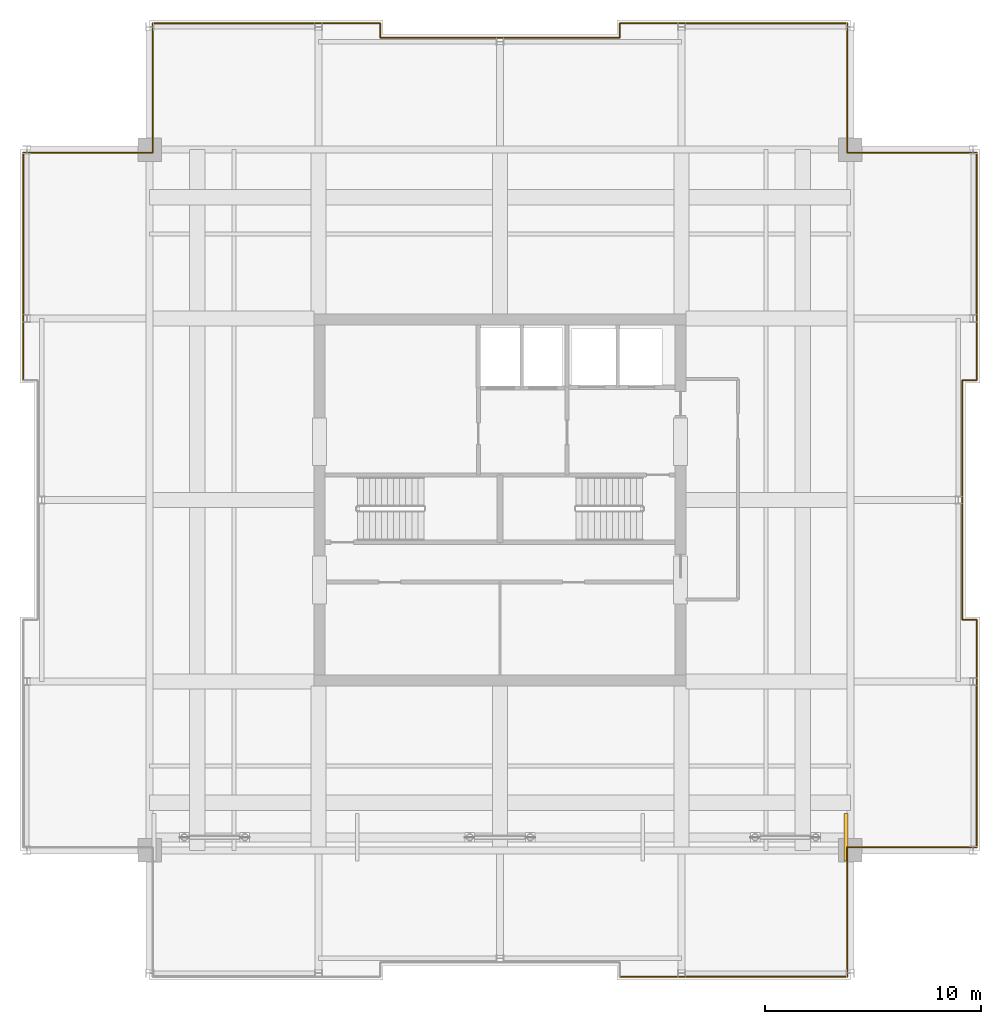
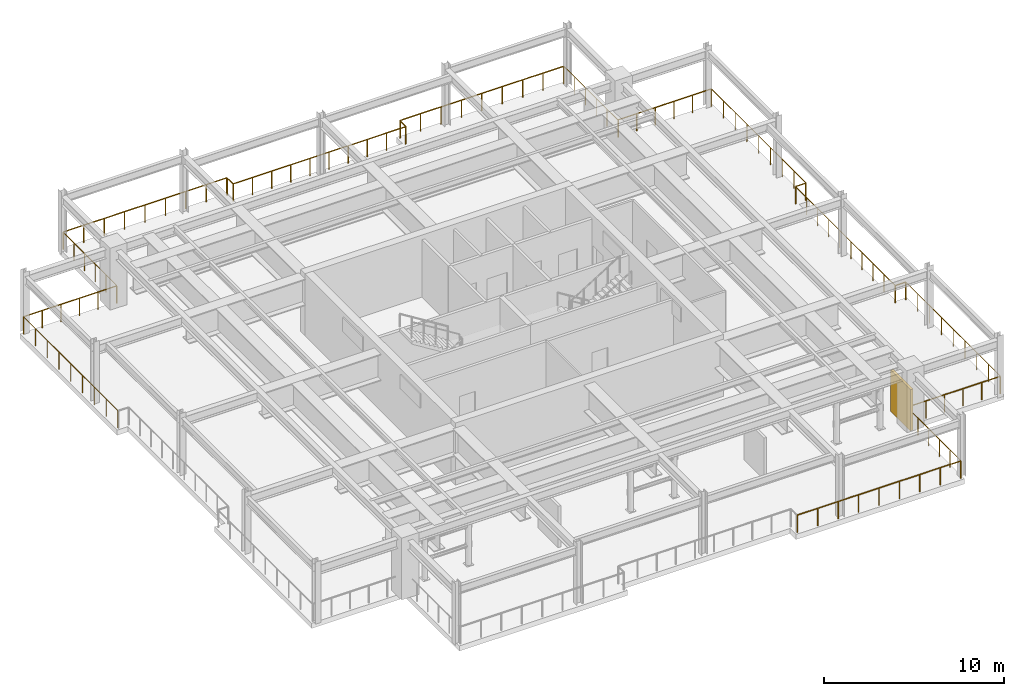
# One storey, part 12 of 12: 18 railings, 1 shading device.
"""IFC4 building model written with IfcOpenShell, lengths in metres."""

from ifc_helpers import new_model, si_unit, direction, frame, origin, origin_2d, place, context, subcontext, project, spatial, rectangle, circle, extrude, material, layer, layer_set, type_object, element, save


model = new_model("IFC4")

# Units and contexts
model_context = context("Model", 3, precision=1e-05, world=origin(), true_north=direction((0.0, 1.0)))
body_context = subcontext(model_context, "Body", "Model", "MODEL_VIEW")
ifc_project = project(units=[si_unit("LENGTHUNIT", "METRE"), si_unit("AREAUNIT", "SQUARE_METRE"), si_unit("VOLUMEUNIT", "CUBIC_METRE"), si_unit("PLANEANGLEUNIT", "RADIAN"), si_unit("MASSUNIT", "GRAM", prefix="KILO")], contexts=[model_context])

# Site, building, storey
site_placement = place(None, origin())
site = spatial("IfcSite", under=ifc_project, at=site_placement, CompositionType="ELEMENT")
building_placement = place(site_placement, origin())
building = spatial("IfcBuilding", under=site, at=building_placement, Name="Drelvath Grand Hotel", CompositionType="ELEMENT")
storey_placement = place(building_placement, frame((0.0, 0.0, 307.199951171875)))
storey = spatial("IfcBuildingStorey", under=building, at=storey_placement, Name="L80", CompositionType="ELEMENT", Elevation=307.199951171875)

# Shading device
ifc_material_1 = material(Name="Pale-Metal Anodised Aluminium Louvre", Category="aluminium")
ifc_layer = layer(ifc_material_1, 0.179931640625)
ifc_layer_set = layer_set([ifc_layer], Name="Pale-Metal Anodised Aluminium Louvre")
shading_device_type = type_object("IfcShadingDeviceType", Name="Mechanical Acoustic Weather Louvre Pale-Metal 180", PredefinedType="USERDEFINED", material=ifc_layer_set)
shading_device_placement = place(storey_placement, frame((16.0, 11.39990234375, 0.0), z_axis=(0.0, 0.0, 1.0), x_axis=(1.0, 0.0, 0.0)))
element("IfcShadingDevice", 1, at=shading_device_placement, inside=storey, type_object=shading_device_type, Name="L80 Wind-Turbine Acoustic Shroud Louvre 4", ObjectType="LOUVRE", PredefinedType="USERDEFINED", context=body_context, shape_type="SweptSolid", body=[
    extrude(rectangle(XDim=0.179931640625, YDim=2.199951171875, at=origin_2d()), origin(), (0.0, 0.0, 1.0), 2.800048828125),
])

# Railings
ifc_material_2 = material(Name="Stainless Steel Grade 316 Guardrail", Category="steel")
railing_type = type_object("IfcRailingType", Name="Open Wind-Slot Perimeter Guardrail 1200", PredefinedType="GUARDRAIL", material=ifc_material_2)
railing_1_placement = place(storey_placement, frame((-22.06005859375, 32.56201171875, 0.0)))
element("IfcRailing", 2, at=railing_1_placement, inside=storey, type_object=railing_type, Name="L80 Open Wind-Turbine Deck Perimeter Guardrail E07", PredefinedType="GUARDRAIL", context=body_context, shape_type="SweptSolid", body=[
    extrude(circle(Radius=0.02392578125, at=origin_2d()), frame((0.0, 0.0, 1.17578125), z_axis=(0.0, 1.0, 0.0), x_axis=(-1.0, 0.0, 0.0)), (0.0, 0.0, 1.0), 10.47607421875),
    extrude(circle(Radius=0.02099609375, at=origin_2d()), origin(), (0.0, 0.0, 1.0), 1.15185546875),
    extrude(circle(Radius=0.02099609375, at=origin_2d()), frame((0.0, 1.3095703125, 0.0)), (0.0, 0.0, 1.0), 1.15185546875),
    extrude(circle(Radius=0.02099609375, at=origin_2d()), frame((0.0, 2.619140625, 0.0)), (0.0, 0.0, 1.0), 1.15185546875),
    extrude(circle(Radius=0.02099609375, at=origin_2d()), frame((0.0, 3.928466796875, 0.0)), (0.0, 0.0, 1.0), 1.15185546875),
    extrude(circle(Radius=0.02099609375, at=origin_2d()), frame((0.0, 5.238037109375, 0.0)), (0.0, 0.0, 1.0), 1.15185546875),
    extrude(circle(Radius=0.02099609375, at=origin_2d()), frame((0.0, 6.547607421875, 0.0)), (0.0, 0.0, 1.0), 1.15185546875),
    extrude(circle(Radius=0.02099609375, at=origin_2d()), frame((0.0, 7.85693359375, 0.0)), (0.0, 0.0, 1.0), 1.15185546875),
    extrude(circle(Radius=0.02099609375, at=origin_2d()), frame((0.0, 9.16650390625, 0.0)), (0.0, 0.0, 1.0), 1.15185546875),
    extrude(circle(Radius=0.02099609375, at=origin_2d()), frame((0.0, 10.47607421875, 0.0)), (0.0, 0.0, 1.0), 1.15185546875),
])
railing_2_placement = place(storey_placement, frame((-22.0380859375, 43.06005859375, 0.0)))
element("IfcRailing", 3, at=railing_2_placement, inside=storey, type_object=railing_type, Name="L80 Open Wind-Turbine Deck Perimeter Guardrail E08", PredefinedType="GUARDRAIL", context=body_context, shape_type="SweptSolid", body=[
    extrude(circle(Radius=0.02392578125, at=origin_2d()), frame((0.0, 0.0, 1.17578125), z_axis=(1.0, 0.0, 0.0), x_axis=(0.0, 1.0, 0.0)), (0.0, 0.0, 1.0), 5.9560546875),
    extrude(circle(Radius=0.02099609375, at=origin_2d()), origin(), (0.0, 0.0, 1.0), 1.15185546875),
    extrude(circle(Radius=0.02099609375, at=origin_2d()), frame((1.191162109375, 0.0, 0.0)), (0.0, 0.0, 1.0), 1.15185546875),
    extrude(circle(Radius=0.02099609375, at=origin_2d()), frame((2.38232421875, 0.0, 0.0)), (0.0, 0.0, 1.0), 1.15185546875),
    extrude(circle(Radius=0.02099609375, at=origin_2d()), frame((3.57373046875, 0.0, 0.0)), (0.0, 0.0, 1.0), 1.15185546875),
    extrude(circle(Radius=0.02099609375, at=origin_2d()), frame((4.764892578125, 0.0, 0.0)), (0.0, 0.0, 1.0), 1.15185546875),
    extrude(circle(Radius=0.02099609375, at=origin_2d()), frame((5.9560546875, 0.0, 0.0)), (0.0, 0.0, 1.0), 1.15185546875),
])
railing_3_placement = place(storey_placement, frame((-16.06005859375, 43.08203125, 0.0)))
element("IfcRailing", 4, at=railing_3_placement, inside=storey, type_object=railing_type, Name="L80 Open Wind-Turbine Deck Perimeter Guardrail E09", PredefinedType="GUARDRAIL", context=body_context, shape_type="SweptSolid", body=[
    extrude(circle(Radius=0.02392578125, at=origin_2d()), frame((0.0, 0.0, 1.17578125), z_axis=(0.0, 1.0, 0.0), x_axis=(-1.0, 0.0, 0.0)), (0.0, 0.0, 1.0), 5.9560546875),
    extrude(circle(Radius=0.02099609375, at=origin_2d()), origin(), (0.0, 0.0, 1.0), 1.15185546875),
    extrude(circle(Radius=0.02099609375, at=origin_2d()), frame((0.0, 1.191162109375, 0.0)), (0.0, 0.0, 1.0), 1.15185546875),
    extrude(circle(Radius=0.02099609375, at=origin_2d()), frame((0.0, 2.38232421875, 0.0)), (0.0, 0.0, 1.0), 1.15185546875),
    extrude(circle(Radius=0.02099609375, at=origin_2d()), frame((0.0, 3.57373046875, 0.0)), (0.0, 0.0, 1.0), 1.15185546875),
    extrude(circle(Radius=0.02099609375, at=origin_2d()), frame((0.0, 4.764892578125, 0.0)), (0.0, 0.0, 1.0), 1.15185546875),
    extrude(circle(Radius=0.02099609375, at=origin_2d()), frame((0.0, 5.9560546875, 0.0)), (0.0, 0.0, 1.0), 1.15185546875),
])
railing_4_placement = place(storey_placement, frame((-16.0380859375, 49.06005859375, 0.0)))
element("IfcRailing", 5, at=railing_4_placement, inside=storey, type_object=railing_type, Name="L80 Open Wind-Turbine Deck Perimeter Guardrail E10", PredefinedType="GUARDRAIL", context=body_context, shape_type="SweptSolid", body=[
    extrude(circle(Radius=0.02392578125, at=origin_2d()), frame((0.0, 0.0, 1.17578125), z_axis=(1.0, 0.0, 0.0), x_axis=(0.0, 1.0, 0.0)), (0.0, 0.0, 1.0), 10.47607421875),
    extrude(circle(Radius=0.02099609375, at=origin_2d()), origin(), (0.0, 0.0, 1.0), 1.15185546875),
    extrude(circle(Radius=0.02099609375, at=origin_2d()), frame((1.3095703125, 0.0, 0.0)), (0.0, 0.0, 1.0), 1.15185546875),
    extrude(circle(Radius=0.02099609375, at=origin_2d()), frame((2.619140625, 0.0, 0.0)), (0.0, 0.0, 1.0), 1.15185546875),
    extrude(circle(Radius=0.02099609375, at=origin_2d()), frame((3.928466796875, 0.0, 0.0)), (0.0, 0.0, 1.0), 1.15185546875),
    extrude(circle(Radius=0.02099609375, at=origin_2d()), frame((5.238037109375, 0.0, 0.0)), (0.0, 0.0, 1.0), 1.15185546875),
    extrude(circle(Radius=0.02099609375, at=origin_2d()), frame((6.547607421875, 0.0, 0.0)), (0.0, 0.0, 1.0), 1.15185546875),
    extrude(circle(Radius=0.02099609375, at=origin_2d()), frame((7.85693359375, 0.0, 0.0)), (0.0, 0.0, 1.0), 1.15185546875),
    extrude(circle(Radius=0.02099609375, at=origin_2d()), frame((9.16650390625, 0.0, 0.0)), (0.0, 0.0, 1.0), 1.15185546875),
    extrude(circle(Radius=0.02099609375, at=origin_2d()), frame((10.47607421875, 0.0, 0.0)), (0.0, 0.0, 1.0), 1.15185546875),
])
railing_5_placement = place(storey_placement, frame((-5.5400390625, 49.0380859375, 0.0)))
element("IfcRailing", 6, at=railing_5_placement, inside=storey, type_object=railing_type, Name="L80 Open Wind-Turbine Deck Perimeter Guardrail E11", PredefinedType="GUARDRAIL", context=body_context, shape_type="SweptSolid", body=[
    extrude(circle(Radius=0.02392578125, at=origin_2d()), frame((0.0, 0.0, 1.17578125), z_axis=(0.0, -1.0, 0.0), x_axis=(1.0, 0.0, 0.0)), (0.0, 0.0, 1.0), 0.635986328125),
    extrude(circle(Radius=0.02099609375, at=origin_2d()), origin(), (0.0, 0.0, 1.0), 1.15185546875),
    extrude(circle(Radius=0.02099609375, at=origin_2d()), frame((0.0, -0.635986328125, 0.0)), (0.0, 0.0, 1.0), 1.15185546875),
])
railing_6_placement = place(storey_placement, frame((-5.51806640625, 48.3798828125, 0.0)))
element("IfcRailing", 7, at=railing_6_placement, inside=storey, type_object=railing_type, Name="L80 Open Wind-Turbine Deck Perimeter Guardrail E12", PredefinedType="GUARDRAIL", context=body_context, shape_type="SweptSolid", body=[
    extrude(circle(Radius=0.02392578125, at=origin_2d()), frame((0.0, 0.0, 1.17578125), z_axis=(1.0, 0.0, 0.0), x_axis=(0.0, 1.0, 0.0)), (0.0, 0.0, 1.0), 11.0361328125),
    extrude(circle(Radius=0.02099609375, at=origin_2d()), origin(), (0.0, 0.0, 1.0), 1.15185546875),
    extrude(circle(Radius=0.02099609375, at=origin_2d()), frame((1.226318359375, 0.0, 0.0)), (0.0, 0.0, 1.0), 1.15185546875),
    extrude(circle(Radius=0.02099609375, at=origin_2d()), frame((2.452392578125, 0.0, 0.0)), (0.0, 0.0, 1.0), 1.15185546875),
    extrude(circle(Radius=0.02099609375, at=origin_2d()), frame((3.6787109375, 0.0, 0.0)), (0.0, 0.0, 1.0), 1.15185546875),
    extrude(circle(Radius=0.02099609375, at=origin_2d()), frame((4.905029296875, 0.0, 0.0)), (0.0, 0.0, 1.0), 1.15185546875),
    extrude(circle(Radius=0.02099609375, at=origin_2d()), frame((6.131103515625, 0.0, 0.0)), (0.0, 0.0, 1.0), 1.15185546875),
    extrude(circle(Radius=0.02099609375, at=origin_2d()), frame((7.357421875, 0.0, 0.0)), (0.0, 0.0, 1.0), 1.15185546875),
    extrude(circle(Radius=0.02099609375, at=origin_2d()), frame((8.583740234375, 0.0, 0.0)), (0.0, 0.0, 1.0), 1.15185546875),
    extrude(circle(Radius=0.02099609375, at=origin_2d()), frame((9.809814453125, 0.0, 0.0)), (0.0, 0.0, 1.0), 1.15185546875),
    extrude(circle(Radius=0.02099609375, at=origin_2d()), frame((11.0361328125, 0.0, 0.0)), (0.0, 0.0, 1.0), 1.15185546875),
])
railing_7_placement = place(storey_placement, frame((5.5400390625, 48.402099609375, 0.0)))
element("IfcRailing", 8, at=railing_7_placement, inside=storey, type_object=railing_type, Name="L80 Open Wind-Turbine Deck Perimeter Guardrail E13", PredefinedType="GUARDRAIL", context=body_context, shape_type="SweptSolid", body=[
    extrude(circle(Radius=0.02392578125, at=origin_2d()), frame((0.0, 0.0, 1.17578125), z_axis=(0.0, 1.0, 0.0), x_axis=(-1.0, 0.0, 0.0)), (0.0, 0.0, 1.0), 0.635986328125),
    extrude(circle(Radius=0.02099609375, at=origin_2d()), origin(), (0.0, 0.0, 1.0), 1.15185546875),
    extrude(circle(Radius=0.02099609375, at=origin_2d()), frame((0.0, 0.635986328125, 0.0)), (0.0, 0.0, 1.0), 1.15185546875),
])
railing_8_placement = place(storey_placement, frame((5.56201171875, 49.06005859375, 0.0)))
element("IfcRailing", 9, at=railing_8_placement, inside=storey, type_object=railing_type, Name="L80 Open Wind-Turbine Deck Perimeter Guardrail E14", PredefinedType="GUARDRAIL", context=body_context, shape_type="SweptSolid", body=[
    extrude(circle(Radius=0.02392578125, at=origin_2d()), frame((0.0, 0.0, 1.17578125), z_axis=(1.0, 0.0, 0.0), x_axis=(0.0, 1.0, 0.0)), (0.0, 0.0, 1.0), 10.47607421875),
    extrude(circle(Radius=0.02099609375, at=origin_2d()), origin(), (0.0, 0.0, 1.0), 1.15185546875),
    extrude(circle(Radius=0.02099609375, at=origin_2d()), frame((1.3095703125, 0.0, 0.0)), (0.0, 0.0, 1.0), 1.15185546875),
    extrude(circle(Radius=0.02099609375, at=origin_2d()), frame((2.619140625, 0.0, 0.0)), (0.0, 0.0, 1.0), 1.15185546875),
    extrude(circle(Radius=0.02099609375, at=origin_2d()), frame((3.928466796875, 0.0, 0.0)), (0.0, 0.0, 1.0), 1.15185546875),
    extrude(circle(Radius=0.02099609375, at=origin_2d()), frame((5.238037109375, 0.0, 0.0)), (0.0, 0.0, 1.0), 1.15185546875),
    extrude(circle(Radius=0.02099609375, at=origin_2d()), frame((6.547607421875, 0.0, 0.0)), (0.0, 0.0, 1.0), 1.15185546875),
    extrude(circle(Radius=0.02099609375, at=origin_2d()), frame((7.85693359375, 0.0, 0.0)), (0.0, 0.0, 1.0), 1.15185546875),
    extrude(circle(Radius=0.02099609375, at=origin_2d()), frame((9.16650390625, 0.0, 0.0)), (0.0, 0.0, 1.0), 1.15185546875),
    extrude(circle(Radius=0.02099609375, at=origin_2d()), frame((10.47607421875, 0.0, 0.0)), (0.0, 0.0, 1.0), 1.15185546875),
])
railing_9_placement = place(storey_placement, frame((16.06005859375, 49.0380859375, 0.0)))
element("IfcRailing", 10, at=railing_9_placement, inside=storey, type_object=railing_type, Name="L80 Open Wind-Turbine Deck Perimeter Guardrail E15", PredefinedType="GUARDRAIL", context=body_context, shape_type="SweptSolid", body=[
    extrude(circle(Radius=0.02392578125, at=origin_2d()), frame((0.0, 0.0, 1.17578125), z_axis=(0.0, -1.0, 0.0), x_axis=(1.0, 0.0, 0.0)), (0.0, 0.0, 1.0), 5.9560546875),
    extrude(circle(Radius=0.02099609375, at=origin_2d()), origin(), (0.0, 0.0, 1.0), 1.15185546875),
    extrude(circle(Radius=0.02099609375, at=origin_2d()), frame((0.0, -1.191162109375, 0.0)), (0.0, 0.0, 1.0), 1.15185546875),
    extrude(circle(Radius=0.02099609375, at=origin_2d()), frame((0.0, -2.38232421875, 0.0)), (0.0, 0.0, 1.0), 1.15185546875),
    extrude(circle(Radius=0.02099609375, at=origin_2d()), frame((0.0, -3.57373046875, 0.0)), (0.0, 0.0, 1.0), 1.15185546875),
    extrude(circle(Radius=0.02099609375, at=origin_2d()), frame((0.0, -4.764892578125, 0.0)), (0.0, 0.0, 1.0), 1.15185546875),
    extrude(circle(Radius=0.02099609375, at=origin_2d()), frame((0.0, -5.9560546875, 0.0)), (0.0, 0.0, 1.0), 1.15185546875),
])
railing_10_placement = place(storey_placement, frame((16.08203125, 43.06005859375, 0.0)))
element("IfcRailing", 11, at=railing_10_placement, inside=storey, type_object=railing_type, Name="L80 Open Wind-Turbine Deck Perimeter Guardrail E16", PredefinedType="GUARDRAIL", context=body_context, shape_type="SweptSolid", body=[
    extrude(circle(Radius=0.02392578125, at=origin_2d()), frame((0.0, 0.0, 1.17578125), z_axis=(1.0, 0.0, 0.0), x_axis=(0.0, 1.0, 0.0)), (0.0, 0.0, 1.0), 5.9560546875),
    extrude(circle(Radius=0.02099609375, at=origin_2d()), origin(), (0.0, 0.0, 1.0), 1.15185546875),
    extrude(circle(Radius=0.02099609375, at=origin_2d()), frame((1.191162109375, 0.0, 0.0)), (0.0, 0.0, 1.0), 1.15185546875),
    extrude(circle(Radius=0.02099609375, at=origin_2d()), frame((2.38232421875, 0.0, 0.0)), (0.0, 0.0, 1.0), 1.15185546875),
    extrude(circle(Radius=0.02099609375, at=origin_2d()), frame((3.57373046875, 0.0, 0.0)), (0.0, 0.0, 1.0), 1.15185546875),
    extrude(circle(Radius=0.02099609375, at=origin_2d()), frame((4.764892578125, 0.0, 0.0)), (0.0, 0.0, 1.0), 1.15185546875),
    extrude(circle(Radius=0.02099609375, at=origin_2d()), frame((5.9560546875, 0.0, 0.0)), (0.0, 0.0, 1.0), 1.15185546875),
])
railing_11_placement = place(storey_placement, frame((22.06005859375, 43.0380859375, 0.0)))
element("IfcRailing", 12, at=railing_11_placement, inside=storey, type_object=railing_type, Name="L80 Open Wind-Turbine Deck Perimeter Guardrail E17", PredefinedType="GUARDRAIL", context=body_context, shape_type="SweptSolid", body=[
    extrude(circle(Radius=0.02392578125, at=origin_2d()), frame((0.0, 0.0, 1.17578125), z_axis=(0.0, -1.0, 0.0), x_axis=(1.0, 0.0, 0.0)), (0.0, 0.0, 1.0), 10.47607421875),
    extrude(circle(Radius=0.02099609375, at=origin_2d()), origin(), (0.0, 0.0, 1.0), 1.15185546875),
    extrude(circle(Radius=0.02099609375, at=origin_2d()), frame((0.0, -1.3095703125, 0.0)), (0.0, 0.0, 1.0), 1.15185546875),
    extrude(circle(Radius=0.02099609375, at=origin_2d()), frame((0.0, -2.619140625, 0.0)), (0.0, 0.0, 1.0), 1.15185546875),
    extrude(circle(Radius=0.02099609375, at=origin_2d()), frame((0.0, -3.928466796875, 0.0)), (0.0, 0.0, 1.0), 1.15185546875),
    extrude(circle(Radius=0.02099609375, at=origin_2d()), frame((0.0, -5.238037109375, 0.0)), (0.0, 0.0, 1.0), 1.15185546875),
    extrude(circle(Radius=0.02099609375, at=origin_2d()), frame((0.0, -6.547607421875, 0.0)), (0.0, 0.0, 1.0), 1.15185546875),
    extrude(circle(Radius=0.02099609375, at=origin_2d()), frame((0.0, -7.85693359375, 0.0)), (0.0, 0.0, 1.0), 1.15185546875),
    extrude(circle(Radius=0.02099609375, at=origin_2d()), frame((0.0, -9.16650390625, 0.0)), (0.0, 0.0, 1.0), 1.15185546875),
    extrude(circle(Radius=0.02099609375, at=origin_2d()), frame((0.0, -10.47607421875, 0.0)), (0.0, 0.0, 1.0), 1.15185546875),
])
railing_12_placement = place(storey_placement, frame((22.0380859375, 32.5400390625, 0.0)))
element("IfcRailing", 13, at=railing_12_placement, inside=storey, type_object=railing_type, Name="L80 Open Wind-Turbine Deck Perimeter Guardrail E18", PredefinedType="GUARDRAIL", context=body_context, shape_type="SweptSolid", body=[
    extrude(circle(Radius=0.02392578125, at=origin_2d()), frame((0.0, 0.0, 1.17578125), z_axis=(-1.0, 0.0, 0.0), x_axis=(0.0, -1.0, 0.0)), (0.0, 0.0, 1.0), 0.635986328125),
    extrude(circle(Radius=0.02099609375, at=origin_2d()), origin(), (0.0, 0.0, 1.0), 1.15185546875),
    extrude(circle(Radius=0.02099609375, at=origin_2d()), frame((-0.635986328125, 0.0, 0.0)), (0.0, 0.0, 1.0), 1.15185546875),
])
railing_13_placement = place(storey_placement, frame((21.3798828125, 32.51806640625, 0.0)))
element("IfcRailing", 14, at=railing_13_placement, inside=storey, type_object=railing_type, Name="L80 Open Wind-Turbine Deck Perimeter Guardrail E19", PredefinedType="GUARDRAIL", context=body_context, shape_type="SweptSolid", body=[
    extrude(circle(Radius=0.02392578125, at=origin_2d()), frame((0.0, 0.0, 1.17578125), z_axis=(0.0, -1.0, 0.0), x_axis=(1.0, 0.0, 0.0)), (0.0, 0.0, 1.0), 11.0361328125),
    extrude(circle(Radius=0.02099609375, at=origin_2d()), origin(), (0.0, 0.0, 1.0), 1.15185546875),
    extrude(circle(Radius=0.02099609375, at=origin_2d()), frame((0.0, -1.226318359375, 0.0)), (0.0, 0.0, 1.0), 1.15185546875),
    extrude(circle(Radius=0.02099609375, at=origin_2d()), frame((0.0, -2.452392578125, 0.0)), (0.0, 0.0, 1.0), 1.15185546875),
    extrude(circle(Radius=0.02099609375, at=origin_2d()), frame((0.0, -3.6787109375, 0.0)), (0.0, 0.0, 1.0), 1.15185546875),
    extrude(circle(Radius=0.02099609375, at=origin_2d()), frame((0.0, -4.905029296875, 0.0)), (0.0, 0.0, 1.0), 1.15185546875),
    extrude(circle(Radius=0.02099609375, at=origin_2d()), frame((0.0, -6.131103515625, 0.0)), (0.0, 0.0, 1.0), 1.15185546875),
    extrude(circle(Radius=0.02099609375, at=origin_2d()), frame((0.0, -7.357421875, 0.0)), (0.0, 0.0, 1.0), 1.15185546875),
    extrude(circle(Radius=0.02099609375, at=origin_2d()), frame((0.0, -8.583740234375, 0.0)), (0.0, 0.0, 1.0), 1.15185546875),
    extrude(circle(Radius=0.02099609375, at=origin_2d()), frame((0.0, -9.809814453125, 0.0)), (0.0, 0.0, 1.0), 1.15185546875),
    extrude(circle(Radius=0.02099609375, at=origin_2d()), frame((0.0, -11.0361328125, 0.0)), (0.0, 0.0, 1.0), 1.15185546875),
])
railing_14_placement = place(storey_placement, frame((21.402099609375, 21.4599609375, 0.0)))
element("IfcRailing", 15, at=railing_14_placement, inside=storey, type_object=railing_type, Name="L80 Open Wind-Turbine Deck Perimeter Guardrail E20", PredefinedType="GUARDRAIL", context=body_context, shape_type="SweptSolid", body=[
    extrude(circle(Radius=0.02392578125, at=origin_2d()), frame((0.0, 0.0, 1.17578125), z_axis=(1.0, 0.0, 0.0), x_axis=(0.0, 1.0, 0.0)), (0.0, 0.0, 1.0), 0.635986328125),
    extrude(circle(Radius=0.02099609375, at=origin_2d()), origin(), (0.0, 0.0, 1.0), 1.15185546875),
    extrude(circle(Radius=0.02099609375, at=origin_2d()), frame((0.635986328125, 0.0, 0.0)), (0.0, 0.0, 1.0), 1.15185546875),
])
railing_15_placement = place(storey_placement, frame((22.06005859375, 21.43798828125, 0.0)))
element("IfcRailing", 16, at=railing_15_placement, inside=storey, type_object=railing_type, Name="L80 Open Wind-Turbine Deck Perimeter Guardrail E21", PredefinedType="GUARDRAIL", context=body_context, shape_type="SweptSolid", body=[
    extrude(circle(Radius=0.02392578125, at=origin_2d()), frame((0.0, 0.0, 1.17578125), z_axis=(0.0, -1.0, 0.0), x_axis=(1.0, 0.0, 0.0)), (0.0, 0.0, 1.0), 10.47607421875),
    extrude(circle(Radius=0.02099609375, at=origin_2d()), origin(), (0.0, 0.0, 1.0), 1.15185546875),
    extrude(circle(Radius=0.02099609375, at=origin_2d()), frame((0.0, -1.3095703125, 0.0)), (0.0, 0.0, 1.0), 1.15185546875),
    extrude(circle(Radius=0.02099609375, at=origin_2d()), frame((0.0, -2.619140625, 0.0)), (0.0, 0.0, 1.0), 1.15185546875),
    extrude(circle(Radius=0.02099609375, at=origin_2d()), frame((0.0, -3.928466796875, 0.0)), (0.0, 0.0, 1.0), 1.15185546875),
    extrude(circle(Radius=0.02099609375, at=origin_2d()), frame((0.0, -5.238037109375, 0.0)), (0.0, 0.0, 1.0), 1.15185546875),
    extrude(circle(Radius=0.02099609375, at=origin_2d()), frame((0.0, -6.547607421875, 0.0)), (0.0, 0.0, 1.0), 1.15185546875),
    extrude(circle(Radius=0.02099609375, at=origin_2d()), frame((0.0, -7.85693359375, 0.0)), (0.0, 0.0, 1.0), 1.15185546875),
    extrude(circle(Radius=0.02099609375, at=origin_2d()), frame((0.0, -9.16650390625, 0.0)), (0.0, 0.0, 1.0), 1.15185546875),
    extrude(circle(Radius=0.02099609375, at=origin_2d()), frame((0.0, -10.47607421875, 0.0)), (0.0, 0.0, 1.0), 1.15185546875),
])
railing_16_placement = place(storey_placement, frame((22.0380859375, 10.93994140625, 0.0)))
element("IfcRailing", 17, at=railing_16_placement, inside=storey, type_object=railing_type, Name="L80 Open Wind-Turbine Deck Perimeter Guardrail E22", PredefinedType="GUARDRAIL", context=body_context, shape_type="SweptSolid", body=[
    extrude(circle(Radius=0.02392578125, at=origin_2d()), frame((0.0, 0.0, 1.17578125), z_axis=(-1.0, 0.0, 0.0), x_axis=(0.0, -1.0, 0.0)), (0.0, 0.0, 1.0), 5.9560546875),
    extrude(circle(Radius=0.02099609375, at=origin_2d()), origin(), (0.0, 0.0, 1.0), 1.15185546875),
    extrude(circle(Radius=0.02099609375, at=origin_2d()), frame((-1.191162109375, 0.0, 0.0)), (0.0, 0.0, 1.0), 1.15185546875),
    extrude(circle(Radius=0.02099609375, at=origin_2d()), frame((-2.38232421875, 0.0, 0.0)), (0.0, 0.0, 1.0), 1.15185546875),
    extrude(circle(Radius=0.02099609375, at=origin_2d()), frame((-3.57373046875, 0.0, 0.0)), (0.0, 0.0, 1.0), 1.15185546875),
    extrude(circle(Radius=0.02099609375, at=origin_2d()), frame((-4.764892578125, 0.0, 0.0)), (0.0, 0.0, 1.0), 1.15185546875),
    extrude(circle(Radius=0.02099609375, at=origin_2d()), frame((-5.9560546875, 0.0, 0.0)), (0.0, 0.0, 1.0), 1.15185546875),
])
railing_17_placement = place(storey_placement, frame((16.06005859375, 10.91796875, 0.0)))
element("IfcRailing", 18, at=railing_17_placement, inside=storey, type_object=railing_type, Name="L80 Open Wind-Turbine Deck Perimeter Guardrail E23", PredefinedType="GUARDRAIL", context=body_context, shape_type="SweptSolid", body=[
    extrude(circle(Radius=0.02392578125, at=origin_2d()), frame((0.0, 0.0, 1.17578125), z_axis=(0.0, -1.0, 0.0), x_axis=(1.0, 0.0, 0.0)), (0.0, 0.0, 1.0), 5.9560546875),
    extrude(circle(Radius=0.02099609375, at=origin_2d()), origin(), (0.0, 0.0, 1.0), 1.15185546875),
    extrude(circle(Radius=0.02099609375, at=origin_2d()), frame((0.0, -1.191162109375, 0.0)), (0.0, 0.0, 1.0), 1.15185546875),
    extrude(circle(Radius=0.02099609375, at=origin_2d()), frame((0.0, -2.38232421875, 0.0)), (0.0, 0.0, 1.0), 1.15185546875),
    extrude(circle(Radius=0.02099609375, at=origin_2d()), frame((0.0, -3.57373046875, 0.0)), (0.0, 0.0, 1.0), 1.15185546875),
    extrude(circle(Radius=0.02099609375, at=origin_2d()), frame((0.0, -4.764892578125, 0.0)), (0.0, 0.0, 1.0), 1.15185546875),
    extrude(circle(Radius=0.02099609375, at=origin_2d()), frame((0.0, -5.9560546875, 0.0)), (0.0, 0.0, 1.0), 1.15185546875),
])
railing_18_placement = place(storey_placement, frame((16.0380859375, 4.93994140625, 0.0)))
element("IfcRailing", 19, at=railing_18_placement, inside=storey, type_object=railing_type, Name="L80 Open Wind-Turbine Deck Perimeter Guardrail E24", PredefinedType="GUARDRAIL", context=body_context, shape_type="SweptSolid", body=[
    extrude(circle(Radius=0.02392578125, at=origin_2d()), frame((0.0, 0.0, 1.17578125), z_axis=(-1.0, 0.0, 0.0), x_axis=(0.0, -1.0, 0.0)), (0.0, 0.0, 1.0), 10.47607421875),
    extrude(circle(Radius=0.02099609375, at=origin_2d()), origin(), (0.0, 0.0, 1.0), 1.15185546875),
    extrude(circle(Radius=0.02099609375, at=origin_2d()), frame((-1.3095703125, 0.0, 0.0)), (0.0, 0.0, 1.0), 1.15185546875),
    extrude(circle(Radius=0.02099609375, at=origin_2d()), frame((-2.619140625, 0.0, 0.0)), (0.0, 0.0, 1.0), 1.15185546875),
    extrude(circle(Radius=0.02099609375, at=origin_2d()), frame((-3.928466796875, 0.0, 0.0)), (0.0, 0.0, 1.0), 1.15185546875),
    extrude(circle(Radius=0.02099609375, at=origin_2d()), frame((-5.238037109375, 0.0, 0.0)), (0.0, 0.0, 1.0), 1.15185546875),
    extrude(circle(Radius=0.02099609375, at=origin_2d()), frame((-6.547607421875, 0.0, 0.0)), (0.0, 0.0, 1.0), 1.15185546875),
    extrude(circle(Radius=0.02099609375, at=origin_2d()), frame((-7.85693359375, 0.0, 0.0)), (0.0, 0.0, 1.0), 1.15185546875),
    extrude(circle(Radius=0.02099609375, at=origin_2d()), frame((-9.16650390625, 0.0, 0.0)), (0.0, 0.0, 1.0), 1.15185546875),
    extrude(circle(Radius=0.02099609375, at=origin_2d()), frame((-10.47607421875, 0.0, 0.0)), (0.0, 0.0, 1.0), 1.15185546875),
])

save(model, "model.ifc")
